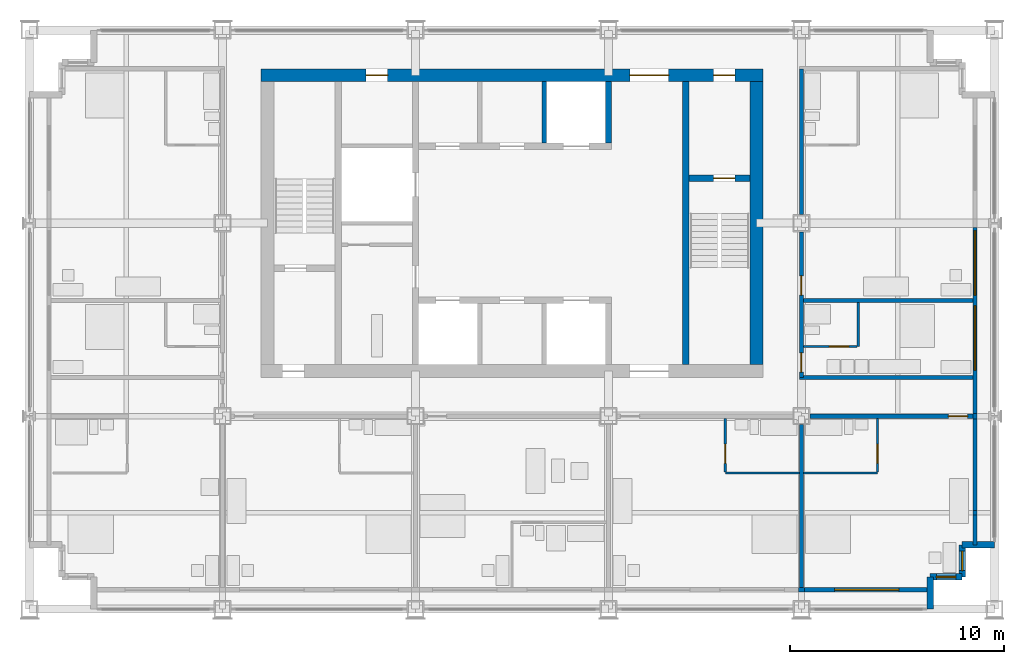
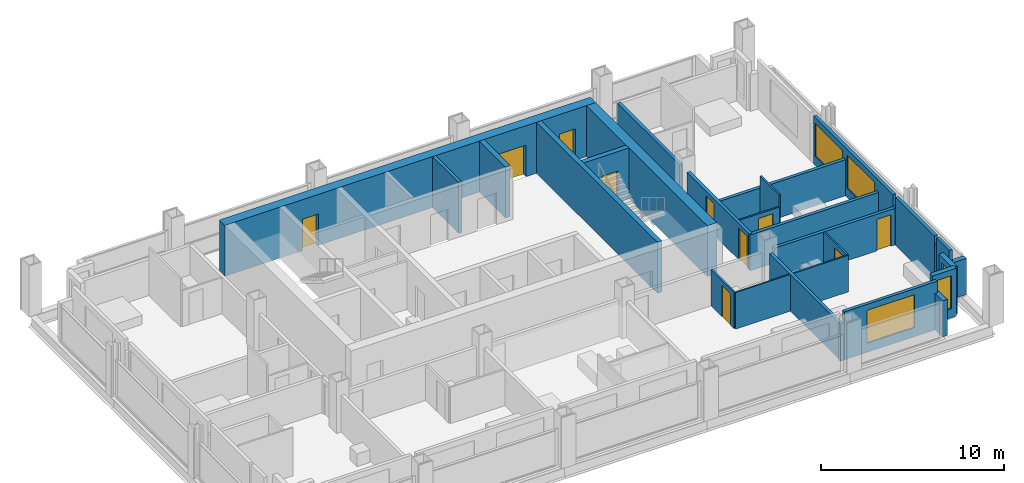
# One storey, part 9 of 13: 29 walls, 10 doors, 5 windows, 15 openings.
"""IFC4 building model written with IfcOpenShell, lengths in metres."""

from ifc_helpers import new_model, si_unit, direction, frame, frame_2d, origin, place, context, subcontext, project, spatial, rectangle, extrude, material, layer, layer_set, type_object, element, fill, save


model = new_model("IFC4")

# Units and contexts
model_context = context("Model", 3, precision=1e-05, world=origin(), true_north=direction((0.0, 1.0)))
body_context = subcontext(model_context, "Body", "Model", "MODEL_VIEW")
ifc_project = project(units=[si_unit("LENGTHUNIT", "METRE"), si_unit("AREAUNIT", "SQUARE_METRE"), si_unit("VOLUMEUNIT", "CUBIC_METRE"), si_unit("PLANEANGLEUNIT", "RADIAN"), si_unit("MASSUNIT", "GRAM", prefix="KILO")], contexts=[model_context])

# Site, building, storey
site_placement = place(None, origin())
site = spatial("IfcSite", under=ifc_project, at=site_placement, CompositionType="ELEMENT")
building_placement = place(site_placement, origin())
building = spatial("IfcBuilding", under=site, at=building_placement, Name="Loomwork Tower", CompositionType="ELEMENT")
storey_placement = place(building_placement, frame((0.0, 0.0, 174.0)))
storey = spatial("IfcBuildingStorey", under=building, at=storey_placement, Name="L47", CompositionType="ELEMENT", Elevation=174.0)

# Walls
ifc_material_1 = material(Name="Concrete 14000 psi (97 MPa)", Category="concrete")
ifc_layer_1 = layer(ifc_material_1, 0.300048828125)
ifc_layer_set_1 = layer_set([ifc_layer_1], Name="Core shear wall 300")
wall_type_1 = type_object("IfcWallType", Name="Core shear wall 300", PredefinedType="SHEAR", material=ifc_layer_set_1)
wall_1_placement = place(storey_placement, frame((27.0, 21.75, 0.0), z_axis=(0.0, 0.0, 1.0), x_axis=(0.0, 1.0, 0.0)))
element("IfcWall", 1, at=wall_1_placement, inside=storey, type_object=wall_type_1, Name="Lift shaft end wall north L47", PredefinedType="SHEAR", context=body_context, shape_type="SweptSolid", body=[
    extrude(rectangle(XDim=2.85009765625, YDim=0.300048828125, at=frame_2d((1.425048828125, 0.0))), origin(), (0.0, 0.0, 1.0), 3.39990234375),
])
wall_2_placement = place(storey_placement, frame((30.60009765625, 11.39990234375, 0.0), z_axis=(0.0, 0.0, 1.0), x_axis=(0.0, 1.0, 0.0)))
element("IfcWall", 2, at=wall_2_placement, inside=storey, type_object=wall_type_1, Name="Stair B west wall L47", PredefinedType="SHEAR", context=body_context, shape_type="SweptSolid", body=[
    extrude(rectangle(XDim=13.2001953125, YDim=0.300048828125, at=frame_2d((6.60009765625, 0.0))), origin(), (0.0, 0.0, 1.0), 3.39990234375),
])

# Wall, opening, door
wall_3_placement = place(storey_placement, frame((30.75, 20.10009765625, 0.0), z_axis=(0.0, 0.0, 1.0), x_axis=(1.0, 0.0, 0.0)))
wall_3 = element("IfcWall", 3, at=wall_3_placement, inside=storey, type_object=wall_type_1, Name="Stair B north wall L47", PredefinedType="SHEAR", context=body_context, shape_type="SweptSolid", body=[
    extrude(rectangle(XDim=2.85009765625, YDim=0.300048828125, at=frame_2d((1.425048828125, 0.0))), origin(), (0.0, 0.0, 1.0), 3.39990234375),
])
opening_1_placement = place(wall_3_placement, frame((1.14990234375, 0.0, 0.0)))
opening_1 = element("IfcOpeningElement", 4, at=opening_1_placement, cuts=wall_3, Name="Opening D4", PredefinedType="OPENING", context=body_context, shape_type="SweptSolid", body=[
    extrude(rectangle(XDim=1.0, YDim=2.10009765625, at=frame_2d((0.5, 1.050048828125))), frame((0.0, 0.159912109375, 0.0), z_axis=(0.0, -1.0, 0.0), x_axis=(1.0, 0.0, 0.0)), (0.0, 0.0, 1.0), 0.320068359375),
])
ifc_material_2 = material(Name="Hollow metal door and frame")
door_type_1 = type_object("IfcDoorType", Name="Stair door 1000", OperationType="SINGLE_SWING_RIGHT", PredefinedType="DOOR", material=ifc_material_2)
door_1_placement = place(opening_1_placement, frame((1.0, 0.0, 0.0), z_axis=(0.0, 0.0, 1.0), x_axis=(-1.0, 0.0, 0.0)))
door_1 = element("IfcDoor", 5, at=door_1_placement, inside=storey, type_object=door_type_1, Name="Stair B door", OperationType="SINGLE_SWING_LEFT", OverallHeight=2.10009765625, OverallWidth=1.0, PredefinedType="DOOR", context=body_context, shape_type="SweptSolid", body=[
    extrude(rectangle(XDim=1.0, YDim=2.10009765625, at=frame_2d((0.5, 1.050048828125))), frame((0.0, 0.02490234375, 0.0), z_axis=(0.0, -1.0, 0.0), x_axis=(1.0, 0.0, 0.0)), (0.0, 0.0, 1.0), 0.050048828125),
])
fill(opening_1, door_1)

# Wall, openings, doors
ifc_material_3 = material(Name="Concrete 14000 psi (97 MPa)", Category="concrete")
ifc_layer_2 = layer(ifc_material_3, 0.60009765625)
ifc_layer_set_2 = layer_set([ifc_layer_2], Name="Core shear wall 600")
wall_type_2 = type_object("IfcWallType", Name="Core shear wall 600", PredefinedType="SHEAR", material=ifc_layer_set_2)
wall_4_placement = place(storey_placement, frame((10.800048828125, 24.89990234375, 0.0), z_axis=(0.0, 0.0, 1.0), x_axis=(1.0, 0.0, 0.0)))
wall_4 = element("IfcWall", 6, at=wall_4_placement, inside=storey, type_object=wall_type_2, Name="Core wall north L47", PredefinedType="SHEAR", context=body_context, shape_type="SweptSolid", body=[
    extrude(rectangle(XDim=23.39990234375, YDim=0.60009765625, at=frame_2d((11.699951171875, 0.0))), origin(), (0.0, 0.0, 1.0), 3.39990234375),
])
opening_2_placement = place(wall_4_placement, frame((17.199951171875, 0.0, 0.0)))
opening_2 = element("IfcOpeningElement", 7, at=opening_2_placement, cuts=wall_4, Name="Opening D6", PredefinedType="OPENING", context=body_context, shape_type="SweptSolid", body=[
    extrude(rectangle(XDim=1.800048828125, YDim=2.10009765625, at=frame_2d((0.89990234375, 1.050048828125))), frame((0.0, 0.31005859375, 0.0), z_axis=(0.0, -1.0, 0.0), x_axis=(1.0, 0.0, 0.0)), (0.0, 0.0, 1.0), 0.6201171875),
])
opening_3_placement = place(wall_4_placement, frame((21.10009765625, 0.0, 0.0)))
opening_3 = element("IfcOpeningElement", 8, at=opening_3_placement, cuts=wall_4, Name="Opening D4", PredefinedType="OPENING", context=body_context, shape_type="SweptSolid", body=[
    extrude(rectangle(XDim=1.0, YDim=2.10009765625, at=frame_2d((0.5, 1.050048828125))), frame((0.0, 0.31005859375, 0.0), z_axis=(0.0, -1.0, 0.0), x_axis=(1.0, 0.0, 0.0)), (0.0, 0.0, 1.0), 0.6201171875),
])
opening_4_placement = place(wall_4_placement, frame((4.89990234375, 0.0, 0.0)))
opening_4 = element("IfcOpeningElement", 9, at=opening_4_placement, cuts=wall_4, Name="Opening D5", PredefinedType="OPENING", context=body_context, shape_type="SweptSolid", body=[
    extrude(rectangle(XDim=1.0, YDim=2.10009765625, at=frame_2d((0.5, 1.050048828125))), frame((0.0, 0.31005859375, 0.0), z_axis=(0.0, -1.0, 0.0), x_axis=(1.0, 0.0, 0.0)), (0.0, 0.0, 1.0), 0.6201171875),
])
ifc_material_4 = material(Name="Hollow metal door and frame")
door_type_2 = type_object("IfcDoorType", Name="Lobby passage double door 1800", OperationType="DOUBLE_DOOR_SINGLE_SWING", PredefinedType="DOOR", material=ifc_material_4)
door_2_placement = place(opening_2_placement, frame((1.800048828125, 0.0, 0.0), z_axis=(0.0, 0.0, 1.0), x_axis=(-1.0, 0.0, 0.0)))
door_2 = element("IfcDoor", 10, at=door_2_placement, inside=storey, type_object=door_type_2, Name="Lobby passage door north", OperationType="DOUBLE_DOOR_SINGLE_SWING", OverallHeight=2.10009765625, OverallWidth=1.800048828125, PredefinedType="DOOR", context=body_context, shape_type="SweptSolid", body=[
    extrude(rectangle(XDim=1.800048828125, YDim=2.10009765625, at=frame_2d((0.89990234375, 1.050048828125))), frame((0.0, 0.02490234375, 0.0), z_axis=(0.0, -1.0, 0.0), x_axis=(1.0, 0.0, 0.0)), (0.0, 0.0, 1.0), 0.050048828125),
])
fill(opening_2, door_2)
ifc_material_5 = material(Name="Hollow metal door and frame")
door_type_3 = type_object("IfcDoorType", Name="Service door 1000", OperationType="SINGLE_SWING_LEFT", PredefinedType="DOOR", material=ifc_material_5)
door_3_placement = place(opening_4_placement, frame((1.0, 0.0, 0.0), z_axis=(0.0, 0.0, 1.0), x_axis=(-1.0, 0.0, 0.0)))
door_3 = element("IfcDoor", 11, at=door_3_placement, inside=storey, type_object=door_type_3, Name="Back-of-house door north", OperationType="SINGLE_SWING_LEFT", OverallHeight=2.10009765625, OverallWidth=1.0, PredefinedType="DOOR", context=body_context, shape_type="SweptSolid", body=[
    extrude(rectangle(XDim=1.0, YDim=2.10009765625, at=frame_2d((0.5, 1.050048828125))), frame((0.0, 0.02490234375, 0.0), z_axis=(0.0, -1.0, 0.0), x_axis=(1.0, 0.0, 0.0)), (0.0, 0.0, 1.0), 0.050048828125),
])
fill(opening_4, door_3)
door_4_placement = place(opening_3_placement, frame((1.0, 0.0, 0.0), z_axis=(0.0, 0.0, 1.0), x_axis=(-1.0, 0.0, 0.0)))
door_4 = element("IfcDoor", 12, at=door_4_placement, inside=storey, type_object=door_type_1, Name="Stair B vestibule door", OperationType="SINGLE_SWING_LEFT", OverallHeight=2.10009765625, OverallWidth=1.0, PredefinedType="DOOR", context=body_context, shape_type="SweptSolid", body=[
    extrude(rectangle(XDim=1.0, YDim=2.10009765625, at=frame_2d((0.5, 1.050048828125))), frame((0.0, 0.02490234375, 0.0), z_axis=(0.0, -1.0, 0.0), x_axis=(1.0, 0.0, 0.0)), (0.0, 0.0, 1.0), 0.050048828125),
])
fill(opening_3, door_4)

# Wall
wall_5_placement = place(storey_placement, frame((33.89990234375, 11.39990234375, 0.0), z_axis=(0.0, 0.0, 1.0), x_axis=(0.0, 1.0, 0.0)))
element("IfcWall", 13, at=wall_5_placement, inside=storey, type_object=wall_type_2, Name="Core wall east L47", PredefinedType="SHEAR", context=body_context, shape_type="SweptSolid", body=[
    extrude(rectangle(XDim=13.2001953125, YDim=0.60009765625, at=frame_2d((6.60009765625, 0.0))), origin(), (0.0, 0.0, 1.0), 3.39990234375),
])

# Wall, opening, door
ifc_material_6 = material(Name="Gypsum board on steel studs, one-hour", Category="steel")
ifc_layer_3 = layer(ifc_material_6, 0.199951171875)
ifc_layer_set_3 = layer_set([ifc_layer_3], Name="Corridor wall 200")
wall_type_3 = type_object("IfcWallType", Name="Corridor wall 200", PredefinedType="PARTITIONING", material=ifc_layer_set_3)
wall_6_placement = place(storey_placement, frame((36.39990234375, 9.0, 0.0), z_axis=(0.0, 0.0, 1.0), x_axis=(1.0, 0.0, 0.0)))
wall_6 = element("IfcWall", 14, at=wall_6_placement, inside=storey, type_object=wall_type_3, Name="South corridor wall 5", PredefinedType="PARTITIONING", context=body_context, shape_type="SweptSolid", body=[
    extrude(rectangle(XDim=7.60009765625, YDim=0.199951171875, at=frame_2d((3.800048828125, 0.0))), origin(), (0.0, 0.0, 1.0), 2.43798828125),
])
opening_5_placement = place(wall_6_placement, frame((6.449951171875, 0.0, 0.0)))
opening_5 = element("IfcOpeningElement", 15, at=opening_5_placement, cuts=wall_6, Name="Opening D1", PredefinedType="OPENING", context=body_context, shape_type="SweptSolid", body=[
    extrude(rectangle(XDim=0.89990234375, YDim=2.10009765625, at=frame_2d((0.449951171875, 1.050048828125))), frame((0.0, 0.10986328125, 0.0), z_axis=(0.0, -1.0, 0.0), x_axis=(1.0, 0.0, 0.0)), (0.0, 0.0, 1.0), 0.219970703125),
])
ifc_material_7 = material(Name="Hollow metal door and frame")
door_type_4 = type_object("IfcDoorType", Name="Guest room entry door 900", OperationType="SINGLE_SWING_LEFT", PredefinedType="DOOR", material=ifc_material_7)
door_5_placement = place(opening_5_placement, frame((0.89990234375, 0.0, 0.0), z_axis=(0.0, 0.0, 1.0), x_axis=(-1.0, 0.0, 0.0)))
door_5 = element("IfcDoor", 16, at=door_5_placement, inside=storey, type_object=door_type_4, Name="Guest room entry door L47 5", OperationType="SINGLE_SWING_LEFT", OverallHeight=2.10009765625, OverallWidth=0.89990234375, PredefinedType="DOOR", context=body_context, shape_type="SweptSolid", body=[
    extrude(rectangle(XDim=0.89990234375, YDim=2.10009765625, at=frame_2d((0.449951171875, 1.050048828125))), frame((0.0, 0.02490234375, 0.0), z_axis=(0.0, -1.0, 0.0), x_axis=(1.0, 0.0, 0.0)), (0.0, 0.0, 1.0), 0.050048828125),
])
fill(opening_5, door_5)

# Wall, openings, doors
wall_7_placement = place(storey_placement, frame((36.0, 10.800048828125, 0.0), z_axis=(0.0, 0.0, 1.0), x_axis=(0.0, 1.0, 0.0)))
wall_7 = element("IfcWall", 17, at=wall_7_placement, inside=storey, type_object=wall_type_3, Name="East corridor wall 1", PredefinedType="PARTITIONING", context=body_context, shape_type="SweptSolid", body=[
    extrude(rectangle(XDim=6.800048828125, YDim=0.199951171875, at=frame_2d((3.39990234375, 0.0))), origin(), (0.0, 0.0, 1.0), 2.405029296875),
])
opening_6_placement = place(wall_7_placement, frame((0.25, 0.0, 0.0)))
opening_6 = element("IfcOpeningElement", 18, at=opening_6_placement, cuts=wall_7, Name="Opening D1", PredefinedType="OPENING", context=body_context, shape_type="SweptSolid", body=[
    extrude(rectangle(XDim=0.89990234375, YDim=2.10009765625, at=frame_2d((0.449951171875, 1.050048828125))), frame((0.0, 0.10986328125, 0.0), z_axis=(0.0, -1.0, 0.0), x_axis=(1.0, 0.0, 0.0)), (0.0, 0.0, 1.0), 0.219970703125),
])
opening_7_placement = place(wall_7_placement, frame((3.85009765625, 0.0, 0.0)))
opening_7 = element("IfcOpeningElement", 19, at=opening_7_placement, cuts=wall_7, Name="Opening D1", PredefinedType="OPENING", context=body_context, shape_type="SweptSolid", body=[
    extrude(rectangle(XDim=0.89990234375, YDim=2.10009765625, at=frame_2d((0.449951171875, 1.050048828125))), frame((0.0, 0.10986328125, 0.0), z_axis=(0.0, -1.0, 0.0), x_axis=(1.0, 0.0, 0.0)), (0.0, 0.0, 1.0), 0.219970703125),
])
door_6_placement = place(opening_6_placement, frame((0.89990234375, 0.0, 0.0), z_axis=(0.0, 0.0, 1.0), x_axis=(-1.0, 0.0, 0.0)))
door_6 = element("IfcDoor", 20, at=door_6_placement, inside=storey, type_object=door_type_4, Name="Guest room entry door L47 8", OperationType="SINGLE_SWING_RIGHT", OverallHeight=2.10009765625, OverallWidth=0.89990234375, PredefinedType="DOOR", context=body_context, shape_type="SweptSolid", body=[
    extrude(rectangle(XDim=0.89990234375, YDim=2.10009765625, at=frame_2d((0.449951171875, 1.050048828125))), frame((0.0, 0.02490234375, 0.0), z_axis=(0.0, -1.0, 0.0), x_axis=(1.0, 0.0, 0.0)), (0.0, 0.0, 1.0), 0.050048828125),
])
fill(opening_6, door_6)
door_7_placement = place(opening_7_placement, frame((0.89990234375, 0.0, 0.0), z_axis=(0.0, 0.0, 1.0), x_axis=(-1.0, 0.0, 0.0)))
door_7 = element("IfcDoor", 21, at=door_7_placement, inside=storey, type_object=door_type_4, Name="Guest room entry door L47 9", OperationType="SINGLE_SWING_RIGHT", OverallHeight=2.10009765625, OverallWidth=0.89990234375, PredefinedType="DOOR", context=body_context, shape_type="SweptSolid", body=[
    extrude(rectangle(XDim=0.89990234375, YDim=2.10009765625, at=frame_2d((0.449951171875, 1.050048828125))), frame((0.0, 0.02490234375, 0.0), z_axis=(0.0, -1.0, 0.0), x_axis=(1.0, 0.0, 0.0)), (0.0, 0.0, 1.0), 0.050048828125),
])
fill(opening_7, door_7)

# Walls
wall_8_placement = place(storey_placement, frame((36.0, 18.39990234375, 0.0), z_axis=(0.0, 0.0, 1.0), x_axis=(0.0, 1.0, 0.0)))
element("IfcWall", 22, at=wall_8_placement, inside=storey, type_object=wall_type_3, Name="East corridor wall 2", PredefinedType="PARTITIONING", context=body_context, shape_type="SweptSolid", body=[
    extrude(rectangle(XDim=6.800048828125, YDim=0.199951171875, at=frame_2d((3.39990234375, 0.0))), origin(), (0.0, 0.0, 1.0), 2.405029296875),
])
wall_9_placement = place(storey_placement, frame((35.89990234375, 10.800048828125, 0.0), z_axis=(0.0, 0.0, 1.0), x_axis=(1.0, 0.0, 0.0)))
element("IfcWall", 23, at=wall_9_placement, inside=storey, type_object=wall_type_3, Name="East band end wall S", PredefinedType="PARTITIONING", context=body_context, shape_type="SweptSolid", body=[
    extrude(rectangle(XDim=8.10009765625, YDim=0.199951171875, at=frame_2d((4.050048828125, 0.0))), origin(), (0.0, 0.0, 1.0), 2.404052734375),
])
ifc_material_8 = material(Name="Cement board on steel studs", Category="steel")
ifc_layer_4 = layer(ifc_material_8, 0.10009765625)
ifc_layer_set_4 = layer_set([ifc_layer_4], Name="En-suite partition 100")
wall_type_4 = type_object("IfcWallType", Name="En-suite partition 100", PredefinedType="PARTITIONING", material=ifc_layer_set_4)
wall_10_placement = place(storey_placement, frame((32.449951171875, 6.35009765625, 0.0), z_axis=(0.0, 0.0, 1.0), x_axis=(1.0, 0.0, 0.0)))
element("IfcWall", 24, at=wall_10_placement, inside=storey, type_object=wall_type_4, Name="En-suite wall L47 room 4", PredefinedType="PARTITIONING", context=body_context, shape_type="SweptSolid", body=[
    extrude(rectangle(XDim=3.449951171875, YDim=0.10009765625, at=frame_2d((1.72509765625, 0.0))), origin(), (0.0, 0.0, 1.0), 2.43798828125),
])

# Wall, opening, door
wall_11_placement = place(storey_placement, frame((32.449951171875, 8.89990234375, 0.0), z_axis=(0.0, 0.0, 1.0), x_axis=(0.0, -1.0, 0.0)))
wall_11 = element("IfcWall", 25, at=wall_11_placement, inside=storey, type_object=wall_type_4, Name="En-suite side wall L47 room 4", PredefinedType="PARTITIONING", context=body_context, shape_type="SweptSolid", body=[
    extrude(rectangle(XDim=2.5, YDim=0.10009765625, at=frame_2d((1.25, 0.0))), origin(), (0.0, 0.0, 1.0), 2.404052734375),
])
opening_8_placement = place(wall_11_placement, frame((1.199951171875, 0.0, 0.0)))
opening_8 = element("IfcOpeningElement", 26, at=opening_8_placement, cuts=wall_11, Name="Opening D2", PredefinedType="OPENING", context=body_context, shape_type="SweptSolid", body=[
    extrude(rectangle(XDim=0.89990234375, YDim=2.10009765625, at=frame_2d((0.449951171875, 1.050048828125))), frame((0.0, 0.06005859375, 0.0), z_axis=(0.0, -1.0, 0.0), x_axis=(1.0, 0.0, 0.0)), (0.0, 0.0, 1.0), 0.1201171875),
])
ifc_material_9 = material(Name="Hollow metal door and frame")
door_type_5 = type_object("IfcDoorType", Name="En-suite door 900", OperationType="SINGLE_SWING_LEFT", PredefinedType="DOOR", material=ifc_material_9)
door_8_placement = place(opening_8_placement, origin())
door_8 = element("IfcDoor", 27, at=door_8_placement, inside=storey, type_object=door_type_5, Name="En-suite door room 4", OperationType="SINGLE_SWING_RIGHT", OverallHeight=2.10009765625, OverallWidth=0.89990234375, PredefinedType="DOOR", context=body_context, shape_type="SweptSolid", body=[
    extrude(rectangle(XDim=0.89990234375, YDim=2.10009765625, at=frame_2d((0.449951171875, 1.050048828125))), frame((0.0, 0.02490234375, 0.0), z_axis=(0.0, -1.0, 0.0), x_axis=(1.0, 0.0, 0.0)), (0.0, 0.0, 1.0), 0.050048828125),
])
fill(opening_8, door_8)

# Wall
wall_12_placement = place(storey_placement, frame((36.10009765625, 6.35009765625, 0.0), z_axis=(0.0, 0.0, 1.0), x_axis=(1.0, 0.0, 0.0)))
element("IfcWall", 28, at=wall_12_placement, inside=storey, type_object=wall_type_4, Name="En-suite wall L47 room 5", PredefinedType="PARTITIONING", context=body_context, shape_type="SweptSolid", body=[
    extrude(rectangle(XDim=3.449951171875, YDim=0.10009765625, at=frame_2d((1.72509765625, 0.0))), origin(), (0.0, 0.0, 1.0), 2.43798828125),
])

# Wall, opening, door
wall_13_placement = place(storey_placement, frame((39.550048828125, 8.89990234375, 0.0), z_axis=(0.0, 0.0, 1.0), x_axis=(0.0, -1.0, 0.0)))
wall_13 = element("IfcWall", 29, at=wall_13_placement, inside=storey, type_object=wall_type_4, Name="En-suite side wall L47 room 5", PredefinedType="PARTITIONING", context=body_context, shape_type="SweptSolid", body=[
    extrude(rectangle(XDim=2.5, YDim=0.10009765625, at=frame_2d((1.25, 0.0))), origin(), (0.0, 0.0, 1.0), 2.43798828125),
])
opening_9_placement = place(wall_13_placement, frame((1.199951171875, 0.0, 0.0)))
opening_9 = element("IfcOpeningElement", 30, at=opening_9_placement, cuts=wall_13, Name="Opening D2", PredefinedType="OPENING", context=body_context, shape_type="SweptSolid", body=[
    extrude(rectangle(XDim=0.89990234375, YDim=2.10009765625, at=frame_2d((0.449951171875, 1.050048828125))), frame((0.0, 0.06005859375, 0.0), z_axis=(0.0, -1.0, 0.0), x_axis=(1.0, 0.0, 0.0)), (0.0, 0.0, 1.0), 0.1201171875),
])
door_9_placement = place(opening_9_placement, frame((0.89990234375, 0.0, 0.0), z_axis=(0.0, 0.0, 1.0), x_axis=(-1.0, 0.0, 0.0)))
door_9 = element("IfcDoor", 31, at=door_9_placement, inside=storey, type_object=door_type_5, Name="En-suite door room 5", OperationType="SINGLE_SWING_LEFT", OverallHeight=2.10009765625, OverallWidth=0.89990234375, PredefinedType="DOOR", context=body_context, shape_type="SweptSolid", body=[
    extrude(rectangle(XDim=0.89990234375, YDim=2.10009765625, at=frame_2d((0.449951171875, 1.050048828125))), frame((0.0, 0.02490234375, 0.0), z_axis=(0.0, -1.0, 0.0), x_axis=(1.0, 0.0, 0.0)), (0.0, 0.0, 1.0), 0.050048828125),
])
fill(opening_9, door_9)

# Wall
wall_14_placement = place(storey_placement, frame((38.64990234375, 12.25, 0.0), z_axis=(0.0, 0.0, 1.0), x_axis=(0.0, 1.0, 0.0)))
element("IfcWall", 32, at=wall_14_placement, inside=storey, type_object=wall_type_4, Name="En-suite wall L47 room 8", PredefinedType="PARTITIONING", context=body_context, shape_type="SweptSolid", body=[
    extrude(rectangle(XDim=2.050048828125, YDim=0.10009765625, at=frame_2d((1.02490234375, 0.0))), origin(), (0.0, 0.0, 1.0), 3.199951171875),
])

# Wall, opening, door
wall_15_placement = place(storey_placement, frame((36.10009765625, 12.25, 0.0), z_axis=(0.0, 0.0, 1.0), x_axis=(1.0, 0.0, 0.0)))
wall_15 = element("IfcWall", 33, at=wall_15_placement, inside=storey, type_object=wall_type_4, Name="En-suite side wall L47 room 8", PredefinedType="PARTITIONING", context=body_context, shape_type="SweptSolid", body=[
    extrude(rectangle(XDim=2.5, YDim=0.10009765625, at=frame_2d((1.25, 0.0))), origin(), (0.0, 0.0, 1.0), 2.404052734375),
])
opening_10_placement = place(wall_15_placement, frame((1.199951171875, 0.0, 0.0)))
opening_10 = element("IfcOpeningElement", 34, at=opening_10_placement, cuts=wall_15, Name="Opening D2", PredefinedType="OPENING", context=body_context, shape_type="SweptSolid", body=[
    extrude(rectangle(XDim=0.89990234375, YDim=2.10009765625, at=frame_2d((0.449951171875, 1.050048828125))), frame((0.0, 0.06005859375, 0.0), z_axis=(0.0, -1.0, 0.0), x_axis=(1.0, 0.0, 0.0)), (0.0, 0.0, 1.0), 0.1201171875),
])
door_10_placement = place(opening_10_placement, origin())
door_10 = element("IfcDoor", 35, at=door_10_placement, inside=storey, type_object=door_type_5, Name="En-suite door room 8", OperationType="SINGLE_SWING_RIGHT", OverallHeight=2.10009765625, OverallWidth=0.89990234375, PredefinedType="DOOR", context=body_context, shape_type="SweptSolid", body=[
    extrude(rectangle(XDim=0.89990234375, YDim=2.10009765625, at=frame_2d((0.449951171875, 1.050048828125))), frame((0.0, 0.02490234375, 0.0), z_axis=(0.0, -1.0, 0.0), x_axis=(1.0, 0.0, 0.0)), (0.0, 0.0, 1.0), 0.050048828125),
])
fill(opening_10, door_10)

# Walls
ifc_material_10 = material(Name="Gypsum board on steel studs, acoustic", Category="steel")
ifc_layer_5 = layer(ifc_material_10, 0.199951171875)
ifc_layer_set_5 = layer_set([ifc_layer_5], Name="Guest room party wall 200")
wall_type_5 = type_object("IfcWallType", Name="Guest room party wall 200", PredefinedType="PARTITIONING", material=ifc_layer_set_5)
wall_16_placement = place(storey_placement, frame((36.0, 8.60009765625, 0.0), z_axis=(0.0, 0.0, 1.0), x_axis=(0.0, -1.0, 0.0)))
element("IfcWall", 36, at=wall_16_placement, inside=storey, type_object=wall_type_5, Name="Guest room party wall S 36", PredefinedType="PARTITIONING", context=body_context, shape_type="SweptSolid", body=[
    extrude(rectangle(XDim=7.60009765625, YDim=0.199951171875, at=frame_2d((3.800048828125, 0.0))), origin(), (0.0, 0.0, 1.0), 2.43798828125),
])
wall_17_placement = place(storey_placement, frame((36.10009765625, 14.39990234375, 0.0), z_axis=(0.0, 0.0, 1.0), x_axis=(1.0, 0.0, 0.0)))
element("IfcWall", 37, at=wall_17_placement, inside=storey, type_object=wall_type_5, Name="Guest room party wall E 14.4", PredefinedType="PARTITIONING", context=body_context, shape_type="SweptSolid", body=[
    extrude(rectangle(XDim=7.89990234375, YDim=0.199951171875, at=frame_2d((3.949951171875, 0.0))), origin(), (0.0, 0.0, 1.0), 2.404052734375),
])
ifc_material_11 = material(Name="Insulated steel stud wall with gypsum lining", Category="steel")
ifc_layer_6 = layer(ifc_material_11, 0.199951171875)
ifc_layer_set_6 = layer_set([ifc_layer_6], Name="Inner skin wall 200")
wall_type_6 = type_object("IfcWallType", Name="Inner skin wall 200", PredefinedType="SOLIDWALL", material=ifc_layer_set_6)
wall_18_placement = place(storey_placement, frame((44.10009765625, 3.0, 0.0), z_axis=(0.0, 0.0, 1.0), x_axis=(0.0, 1.0, 0.0)))
element("IfcWall", 38, at=wall_18_placement, inside=storey, type_object=wall_type_6, Name="Inner skin wall E", PredefinedType="SOLIDWALL", context=body_context, shape_type="SweptSolid", body=[
    extrude(rectangle(XDim=1.392578125, YDim=0.199951171875, at=frame_2d((0.6962890625, 0.0))), origin(), (0.0, 0.0, 1.0), 3.199951171875),
])
wall_19_placement = place(storey_placement, frame((35.864501953125, 0.89990234375, 0.0), z_axis=(0.0, 0.0, 1.0), x_axis=(1.0, 0.0, 0.0)))
element("IfcWall", 39, at=wall_19_placement, inside=storey, type_object=wall_type_6, Name="Inner skin wall S bay 8", PredefinedType="SOLIDWALL", context=body_context, shape_type="SweptSolid", body=[
    extrude(rectangle(XDim=0.27099609375, YDim=0.199951171875, at=frame_2d((0.135498046875, 0.0))), origin(), (0.0, 0.0, 1.0), 2.43798828125),
])

# Wall, opening, window
wall_20_placement = place(storey_placement, frame((36.135498046875, 0.89990234375, 0.0), z_axis=(0.0, 0.0, 1.0), x_axis=(1.0, 0.0, 0.0)))
wall_20 = element("IfcWall", 40, at=wall_20_placement, inside=storey, type_object=wall_type_6, Name="Inner skin wall S bay 9", PredefinedType="SOLIDWALL", context=body_context, shape_type="SweptSolid", body=[
    extrude(rectangle(XDim=5.864501953125, YDim=0.199951171875, at=frame_2d((2.93212890625, 0.0))), origin(), (0.0, 0.0, 1.0), 3.199951171875),
])
opening_11_placement = place(wall_20_placement, frame((1.41455078125, 0.0, 0.60009765625)))
opening_11 = element("IfcOpeningElement", 41, at=opening_11_placement, cuts=wall_20, Name="Opening CH1", PredefinedType="OPENING", context=body_context, shape_type="SweptSolid", body=[
    extrude(rectangle(XDim=3.0, YDim=2.199951171875, at=frame_2d((1.5, 1.10009765625))), frame((0.0, 0.10986328125, 0.0), z_axis=(0.0, -1.0, 0.0), x_axis=(1.0, 0.0, 0.0)), (0.0, 0.0, 1.0), 0.219970703125),
])
ifc_material_12 = material(Name="Aluminium frame with clear insulated glass", Category="aluminium")
window_type_1 = type_object("IfcWindowType", Name="Chicago window 3000", PartitioningType="TRIPLE_PANEL_VERTICAL", PredefinedType="WINDOW", material=ifc_material_12)
window_1_placement = place(opening_11_placement, origin())
window_1 = element("IfcWindow", 42, at=window_1_placement, inside=storey, type_object=window_type_1, Name="Chicago window L47 bay 5", OverallHeight=2.199951171875, OverallWidth=3.0, PartitioningType="TRIPLE_PANEL_VERTICAL", PredefinedType="WINDOW", context=body_context, shape_type="SweptSolid", body=[
    extrude(rectangle(XDim=3.0, YDim=2.199951171875, at=frame_2d((1.5, 1.10009765625))), frame((0.0, 0.030029296875, 0.0), z_axis=(0.0, -1.0, 0.0), x_axis=(1.0, 0.0, 0.0)), (0.0, 0.0, 1.0), 0.06005859375),
])
fill(opening_11, window_1)

# Walls
wall_21_placement = place(storey_placement, frame((44.10009765625, 4.392578125, 0.0), z_axis=(0.0, 0.0, 1.0), x_axis=(0.0, 1.0, 0.0)))
element("IfcWall", 43, at=wall_21_placement, inside=storey, type_object=wall_type_6, Name="Inner skin wall E bay 2", PredefinedType="SOLIDWALL", context=body_context, shape_type="SweptSolid", body=[
    extrude(rectangle(XDim=0.21484375, YDim=0.199951171875, at=frame_2d((0.107421875, 0.0))), origin(), (0.0, 0.0, 1.0), 2.660888671875),
])
wall_22_placement = place(storey_placement, frame((44.10009765625, 4.607421875, 0.0), z_axis=(0.0, 0.0, 1.0), x_axis=(0.0, 1.0, 0.0)))
element("IfcWall", 44, at=wall_22_placement, inside=storey, type_object=wall_type_6, Name="Inner skin wall E bay 3", PredefinedType="SOLIDWALL", context=body_context, shape_type="SweptSolid", body=[
    extrude(rectangle(XDim=4.25732421875, YDim=0.199951171875, at=frame_2d((2.128662109375, 0.0))), origin(), (0.0, 0.0, 1.0), 3.199951171875),
])
wall_23_placement = place(storey_placement, frame((44.10009765625, 8.86474609375, 0.0), z_axis=(0.0, 0.0, 1.0), x_axis=(0.0, 1.0, 0.0)))
element("IfcWall", 45, at=wall_23_placement, inside=storey, type_object=wall_type_6, Name="Inner skin wall E bay 4", PredefinedType="SOLIDWALL", context=body_context, shape_type="SweptSolid", body=[
    extrude(rectangle(XDim=0.2705078125, YDim=0.199951171875, at=frame_2d((0.13525390625, 0.0))), origin(), (0.0, 0.0, 1.0), 2.43798828125),
])

# Wall, openings, windows
wall_24_placement = place(storey_placement, frame((44.10009765625, 9.13525390625, 0.0), z_axis=(0.0, 0.0, 1.0), x_axis=(0.0, 1.0, 0.0)))
wall_24 = element("IfcWall", 46, at=wall_24_placement, inside=storey, type_object=wall_type_6, Name="Inner skin wall E bay 5", PredefinedType="SOLIDWALL", context=body_context, shape_type="SweptSolid", body=[
    extrude(rectangle(XDim=8.6708984375, YDim=0.199951171875, at=frame_2d((4.33544921875, 0.0))), origin(), (0.0, 0.0, 1.0), 3.199951171875),
])
opening_12_placement = place(wall_24_placement, frame((2.0146484375, 0.0, 0.60009765625)))
opening_12 = element("IfcOpeningElement", 47, at=opening_12_placement, cuts=wall_24, Name="Opening CH1", PredefinedType="OPENING", context=body_context, shape_type="SweptSolid", body=[
    extrude(rectangle(XDim=3.0, YDim=2.199951171875, at=frame_2d((1.5, 1.10009765625))), frame((0.0, 0.10986328125, 0.0), z_axis=(0.0, -1.0, 0.0), x_axis=(1.0, 0.0, 0.0)), (0.0, 0.0, 1.0), 0.219970703125),
])
opening_13_placement = place(wall_24_placement, frame((5.5146484375, 0.0, 0.60009765625)))
opening_13 = element("IfcOpeningElement", 48, at=opening_13_placement, cuts=wall_24, Name="Opening CH1", PredefinedType="OPENING", context=body_context, shape_type="SweptSolid", body=[
    extrude(rectangle(XDim=3.0, YDim=2.199951171875, at=frame_2d((1.5, 1.10009765625))), frame((0.0, 0.10986328125, 0.0), z_axis=(0.0, -1.0, 0.0), x_axis=(1.0, 0.0, 0.0)), (0.0, 0.0, 1.0), 0.219970703125),
])
window_2_placement = place(opening_12_placement, origin())
window_2 = element("IfcWindow", 49, at=window_2_placement, inside=storey, type_object=window_type_1, Name="Chicago window L47 bay 8", OverallHeight=2.199951171875, OverallWidth=3.0, PartitioningType="TRIPLE_PANEL_VERTICAL", PredefinedType="WINDOW", context=body_context, shape_type="SweptSolid", body=[
    extrude(rectangle(XDim=3.0, YDim=2.199951171875, at=frame_2d((1.5, 1.10009765625))), frame((0.0, 0.030029296875, 0.0), z_axis=(0.0, -1.0, 0.0), x_axis=(1.0, 0.0, 0.0)), (0.0, 0.0, 1.0), 0.06005859375),
])
fill(opening_12, window_2)
window_3_placement = place(opening_13_placement, origin())
window_3 = element("IfcWindow", 50, at=window_3_placement, inside=storey, type_object=window_type_1, Name="Chicago window L47 bay 8", OverallHeight=2.199951171875, OverallWidth=3.0, PartitioningType="TRIPLE_PANEL_VERTICAL", PredefinedType="WINDOW", context=body_context, shape_type="SweptSolid", body=[
    extrude(rectangle(XDim=3.0, YDim=2.199951171875, at=frame_2d((1.5, 1.10009765625))), frame((0.0, 0.030029296875, 0.0), z_axis=(0.0, -1.0, 0.0), x_axis=(1.0, 0.0, 0.0)), (0.0, 0.0, 1.0), 0.06005859375),
])
fill(opening_13, window_3)

# Walls
ifc_material_13 = material(Name="Concrete 14000 psi (97 MPa)", Category="concrete")
ifc_layer_7 = layer(ifc_material_13, 0.199951171875)
ifc_layer_set_7 = layer_set([ifc_layer_7], Name="Lift shaft wall 200")
wall_type_7 = type_object("IfcWallType", Name="Lift shaft wall 200", PredefinedType="SHEAR", material=ifc_layer_set_7)
wall_25_placement = place(storey_placement, frame((24.0, 21.75, 0.0), z_axis=(0.0, 0.0, 1.0), x_axis=(0.0, 1.0, 0.0)))
element("IfcWall", 51, at=wall_25_placement, inside=storey, type_object=wall_type_7, Name="Lift shaft separation wall north 2 L47", PredefinedType="SHEAR", context=body_context, shape_type="SweptSolid", body=[
    extrude(rectangle(XDim=2.85009765625, YDim=0.199951171875, at=frame_2d((1.425048828125, 0.0))), origin(), (0.0, 0.0, 1.0), 3.39990234375),
])
ifc_material_14 = material(Name="Limestone on concrete masonry", Category="masonry")
ifc_layer_8 = layer(ifc_material_14, 0.300048828125)
ifc_layer_set_8 = layer_set([ifc_layer_8], Name="Limestone corner wall 300")
wall_type_8 = type_object("IfcWallType", Name="Limestone corner wall 300", PredefinedType="SOLIDWALL", material=ifc_layer_set_8)
wall_26_placement = place(storey_placement, frame((42.0, 0.0, 0.0), z_axis=(0.0, 0.0, 1.0), x_axis=(0.0, 1.0, 0.0)))
element("IfcWall", 52, at=wall_26_placement, inside=storey, type_object=wall_type_8, Name="Stone corner wall SE 1", PredefinedType="SOLIDWALL", context=body_context, shape_type="SweptSolid", body=[
    extrude(rectangle(XDim=1.5, YDim=0.300048828125, at=frame_2d((0.75, 0.0))), origin(), (0.0, 0.0, 1.0), 2.419921875),
])

# Wall, opening, window
wall_27_placement = place(storey_placement, frame((42.0, 1.5, 0.0), z_axis=(0.0, 0.0, 1.0), x_axis=(1.0, 0.0, 0.0)))
wall_27 = element("IfcWall", 53, at=wall_27_placement, inside=storey, type_object=wall_type_8, Name="Stone corner wall SE 2", PredefinedType="SOLIDWALL", context=body_context, shape_type="SweptSolid", body=[
    extrude(rectangle(XDim=1.5, YDim=0.300048828125, at=frame_2d((0.75, 0.0))), origin(), (0.0, 0.0, 1.0), 3.199951171875),
])
opening_14_placement = place(wall_27_placement, frame((0.300048828125, 0.0, 0.60009765625)))
opening_14 = element("IfcOpeningElement", 54, at=opening_14_placement, cuts=wall_27, Name="Opening CH2", PredefinedType="OPENING", context=body_context, shape_type="SweptSolid", body=[
    extrude(rectangle(XDim=0.89990234375, YDim=2.199951171875, at=frame_2d((0.449951171875, 1.10009765625))), frame((0.0, 0.159912109375, 0.0), z_axis=(0.0, -1.0, 0.0), x_axis=(1.0, 0.0, 0.0)), (0.0, 0.0, 1.0), 0.320068359375),
])
ifc_material_15 = material(Name="Aluminium frame with clear insulated glass", Category="aluminium")
window_type_2 = type_object("IfcWindowType", Name="Corner window 900", PartitioningType="SINGLE_PANEL", PredefinedType="WINDOW", material=ifc_material_15)
window_4_placement = place(opening_14_placement, origin())
window_4 = element("IfcWindow", 55, at=window_4_placement, inside=storey, type_object=window_type_2, Name="Corner window SE", OverallHeight=2.199951171875, OverallWidth=0.89990234375, PartitioningType="SINGLE_PANEL", PredefinedType="WINDOW", context=body_context, shape_type="SweptSolid", body=[
    extrude(rectangle(XDim=0.89990234375, YDim=2.199951171875, at=frame_2d((0.449951171875, 1.10009765625))), frame((0.0, 0.030029296875, 0.0), z_axis=(0.0, -1.0, 0.0), x_axis=(1.0, 0.0, 0.0)), (0.0, 0.0, 1.0), 0.06005859375),
])
fill(opening_14, window_4)

wall_28_placement = place(storey_placement, frame((43.5, 1.5, 0.0), z_axis=(0.0, 0.0, 1.0), x_axis=(0.0, 1.0, 0.0)))
wall_28 = element("IfcWall", 56, at=wall_28_placement, inside=storey, type_object=wall_type_8, Name="Stone corner wall SE 3", PredefinedType="SOLIDWALL", context=body_context, shape_type="SweptSolid", body=[
    extrude(rectangle(XDim=1.5, YDim=0.300048828125, at=frame_2d((0.75, 0.0))), origin(), (0.0, 0.0, 1.0), 3.199951171875),
])
opening_15_placement = place(wall_28_placement, frame((0.300048828125, 0.0, 0.60009765625)))
opening_15 = element("IfcOpeningElement", 57, at=opening_15_placement, cuts=wall_28, Name="Opening CH2", PredefinedType="OPENING", context=body_context, shape_type="SweptSolid", body=[
    extrude(rectangle(XDim=0.89990234375, YDim=2.199951171875, at=frame_2d((0.449951171875, 1.10009765625))), frame((0.0, 0.159912109375, 0.0), z_axis=(0.0, -1.0, 0.0), x_axis=(1.0, 0.0, 0.0)), (0.0, 0.0, 1.0), 0.320068359375),
])
window_5_placement = place(opening_15_placement, origin())
window_5 = element("IfcWindow", 58, at=window_5_placement, inside=storey, type_object=window_type_2, Name="Corner window SE", OverallHeight=2.199951171875, OverallWidth=0.89990234375, PartitioningType="SINGLE_PANEL", PredefinedType="WINDOW", context=body_context, shape_type="SweptSolid", body=[
    extrude(rectangle(XDim=0.89990234375, YDim=2.199951171875, at=frame_2d((0.449951171875, 1.10009765625))), frame((0.0, 0.030029296875, 0.0), z_axis=(0.0, -1.0, 0.0), x_axis=(1.0, 0.0, 0.0)), (0.0, 0.0, 1.0), 0.06005859375),
])
fill(opening_15, window_5)

# Wall
wall_29_placement = place(storey_placement, frame((43.5, 3.0, 0.0), z_axis=(0.0, 0.0, 1.0), x_axis=(1.0, 0.0, 0.0)))
element("IfcWall", 59, at=wall_29_placement, inside=storey, type_object=wall_type_8, Name="Stone corner wall SE 4", PredefinedType="SOLIDWALL", context=body_context, shape_type="SweptSolid", body=[
    extrude(rectangle(XDim=1.5, YDim=0.300048828125, at=frame_2d((0.75, 0.0))), origin(), (0.0, 0.0, 1.0), 2.419921875),
])

save(model, "model.ifc")
